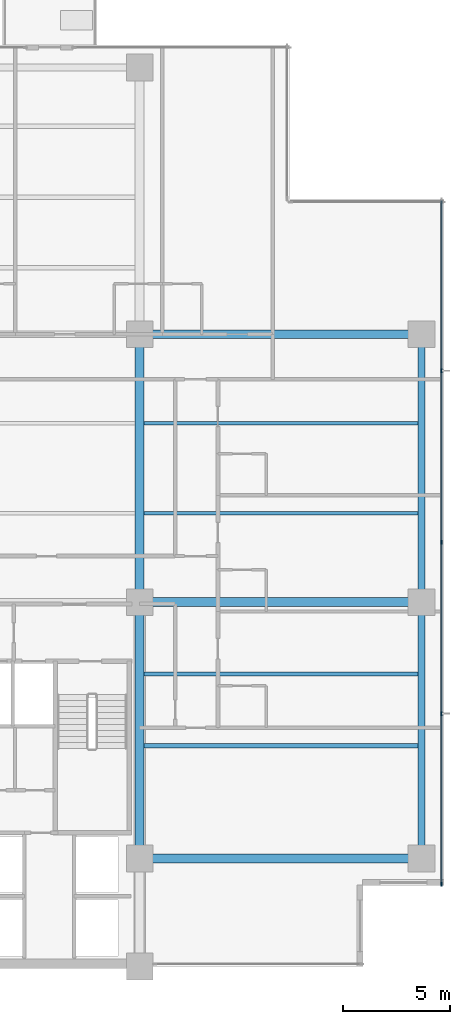
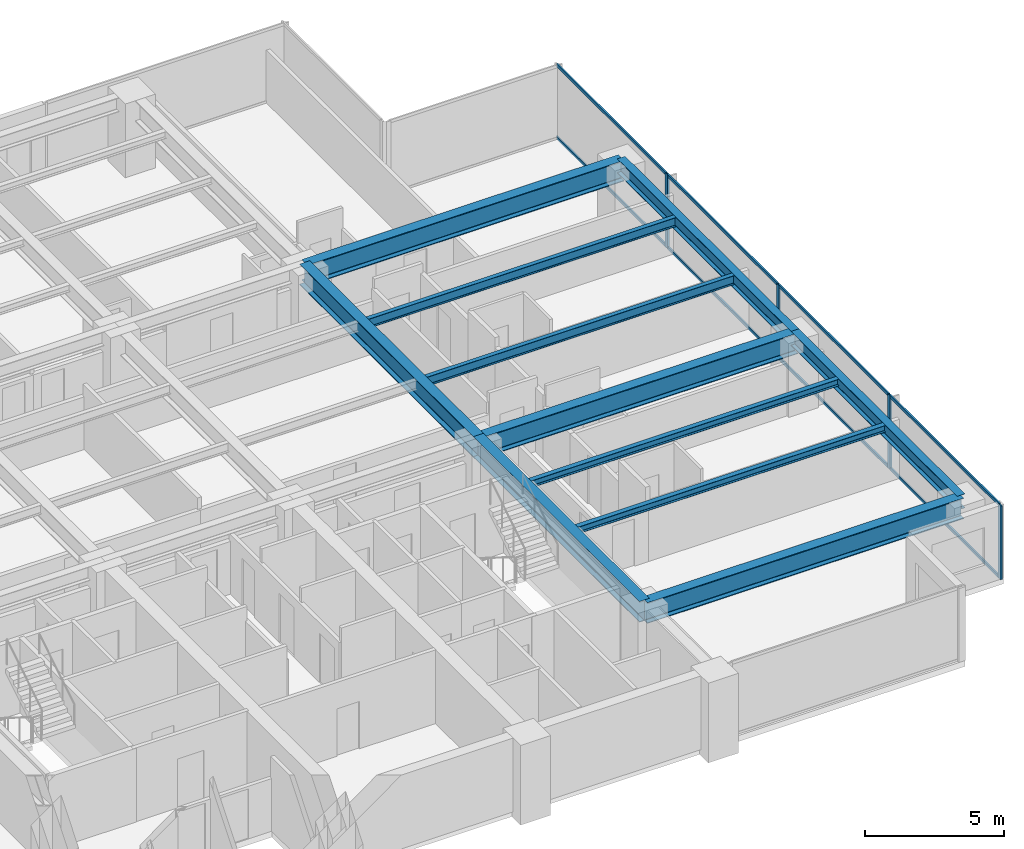
# One storey, part 4 of 17: 12 members, 11 beams, 1 element without a shape of its own.
"""IFC4 building model written with IfcOpenShell, lengths in metres."""

from ifc_helpers import new_model, si_unit, direction, frame, origin, origin_2d, place, context, subcontext, project, spatial, rectangle, i_section, extrude, material, layer, layer_set, material_profile, profile_set, type_object, element, aggregate, save


model = new_model("IFC4")

# Units and contexts
model_context = context("Model", 3, precision=1e-05, world=origin(), true_north=direction((0.0, 1.0)))
body_context = subcontext(model_context, "Body", "Model", "MODEL_VIEW")
ifc_project = project(units=[si_unit("LENGTHUNIT", "METRE"), si_unit("AREAUNIT", "SQUARE_METRE"), si_unit("VOLUMEUNIT", "CUBIC_METRE"), si_unit("PLANEANGLEUNIT", "RADIAN"), si_unit("MASSUNIT", "GRAM", prefix="KILO")], contexts=[model_context])

# Site, building, storey
site_placement = place(None, origin())
site = spatial("IfcSite", under=ifc_project, at=site_placement, CompositionType="ELEMENT")
building_placement = place(site_placement, origin())
building = spatial("IfcBuilding", under=site, at=building_placement, Name="Qalmaran Belvedere Hotel", CompositionType="ELEMENT")
storey_placement = place(building_placement, frame((0.0, 0.0, 102.199951171875)))
storey = spatial("IfcBuildingStorey", under=building, at=storey_placement, Name="L25", CompositionType="ELEMENT", Elevation=102.199951171875)

# Beams
ifc_material_1 = material(Name="Steel S355JR", Category="steel")
ifc_material_profile_1 = material_profile(ifc_material_1, i_section(OverallWidth=0.202880859375, OverallDepth=0.302978515625, WebThickness=0.007568359375, FlangeThickness=0.01318359375, FilletRadius=0.012939453125, at=origin_2d()), Name="W310X60")
ifc_profile_set_1 = profile_set([ifc_material_profile_1], Name="Steel S355JR")
beam_type_1 = type_object("IfcBeamType", Name="BM-JST-W310X60", PredefinedType="JOIST", material=ifc_profile_set_1)
for number, where, z_axis, x_axis, name in (
    (1, (45.007080078125, 13.800048828125, 3.088623046875), (1.0, 0.0, 0.0), (0.0, 1.0, 0.0), "L25 East Wing Joist 039"),
    (2, (45.007080078125, 17.14990234375, 3.088623046875), (1.0, 0.0, 0.0), (0.0, 1.0, 0.0), "L25 East Wing Joist 041"),
):
    element("IfcBeam", number, at=place(storey_placement, frame(where, z_axis=z_axis, x_axis=x_axis)), inside=storey, type_object=beam_type_1, Name=name, PredefinedType="JOIST", context=body_context, shape_type="SweptSolid", body=[
        extrude(i_section(OverallWidth=0.202880859375, OverallDepth=0.302978515625, WebThickness=0.007568359375, FlangeThickness=0.01318359375, FilletRadius=0.012939453125, at=origin_2d()), origin(), (0.0, 0.0, 1.0), 12.781494140625),
    ])
ifc_material_profile_2 = material_profile(ifc_material_1, i_section(OverallWidth=0.41796875, OverallDepth=0.912109375, WebThickness=0.019287109375, FlangeThickness=0.031982421875, FilletRadius=0.02392578125, at=origin_2d()), Name="W920X342")
ifc_profile_set_2 = profile_set([ifc_material_profile_2], Name="Steel S355JR")
beam_type_2 = type_object("IfcBeamType", Name="BM-PG2-W920X342", PredefinedType="USERDEFINED", material=ifc_profile_set_2)
beam_1_placement = place(storey_placement, frame((44.800048828125, 20.5, 2.783935546875), z_axis=(0.0, 1.0, 0.0), x_axis=(-1.0, 0.0, 0.0)))
element("IfcBeam", 3, at=beam_1_placement, inside=storey, type_object=beam_type_2, Name="L25 Mid-Plate N-S Girder 20", ObjectType="GIRDER", PredefinedType="USERDEFINED", context=body_context, shape_type="SweptSolid", body=[
    extrude(i_section(OverallWidth=0.41796875, OverallDepth=0.912109375, WebThickness=0.019287109375, FlangeThickness=0.031982421875, FilletRadius=0.02392578125, at=origin_2d()), origin(), (0.0, 0.0, 1.0), 12.5),
])
beam_2_placement = place(storey_placement, frame((44.800048828125, 8.550048828125, 2.783935546875), z_axis=(0.0, 1.0, 0.0), x_axis=(-1.0, 0.0, 0.0)))
element("IfcBeam", 4, at=beam_2_placement, inside=storey, type_object=beam_type_2, Name="L25 East Core Edge Girder B", ObjectType="GIRDER", PredefinedType="USERDEFINED", context=body_context, shape_type="SweptSolid", body=[
    extrude(i_section(OverallWidth=0.41796875, OverallDepth=0.912109375, WebThickness=0.019287109375, FlangeThickness=0.031982421875, FilletRadius=0.02392578125, at=origin_2d()), origin(), (0.0, 0.0, 1.0), 11.949951171875),
])
for number, where, z_axis, x_axis, name in (
    (5, (44.800048828125, 8.550048828125, 2.783935546875), (1.0, 0.0, 0.0), (0.0, 1.0, 0.0), "L25 East Wing Girder 25"),
    (6, (44.800048828125, 20.5, 2.783935546875), (1.0, 0.0, 0.0), (0.0, 1.0, 0.0), "L25 East Wing Girder 26"),
    (7, (44.800048828125, 33.0, 2.783935546875), (1.0, 0.0, 0.0), (0.0, 1.0, 0.0), "L25 East Wing Girder 27"),
):
    element("IfcBeam", number, at=place(storey_placement, frame(where, z_axis=z_axis, x_axis=x_axis)), inside=storey, type_object=beam_type_2, Name=name, ObjectType="GIRDER", PredefinedType="USERDEFINED", context=body_context, shape_type="SweptSolid", body=[
        extrude(i_section(OverallWidth=0.41796875, OverallDepth=0.912109375, WebThickness=0.019287109375, FlangeThickness=0.031982421875, FilletRadius=0.02392578125, at=origin_2d()), origin(), (0.0, 0.0, 1.0), 13.14990234375),
    ])
ifc_material_profile_3 = material_profile(ifc_material_1, i_section(OverallWidth=0.177978515625, OverallDepth=0.406982421875, WebThickness=0.0078125, FlangeThickness=0.0126953125, FilletRadius=0.014892578125, at=origin_2d()), Name="W410X60")
ifc_profile_set_3 = profile_set([ifc_material_profile_3], Name="Steel S355JR")
beam_type_3 = type_object("IfcBeamType", Name="BM-SB2-W410X60", PredefinedType="BEAM", material=ifc_profile_set_3)
for number, where, z_axis, x_axis, name in (
    (8, (45.007080078125, 24.64990234375, 3.03662109375), (1.0, 0.0, 0.0), (0.0, 1.0, 0.0), "L25 East Secondary Beam 032"),
    (9, (45.007080078125, 28.85009765625, 3.03662109375), (1.0, 0.0, 0.0), (0.0, 1.0, 0.0), "L25 East Secondary Beam 037"),
):
    element("IfcBeam", number, at=place(storey_placement, frame(where, z_axis=z_axis, x_axis=x_axis)), inside=storey, type_object=beam_type_3, Name=name, PredefinedType="BEAM", context=body_context, shape_type="SweptSolid", body=[
        extrude(i_section(OverallWidth=0.177978515625, OverallDepth=0.406982421875, WebThickness=0.0078125, FlangeThickness=0.0126953125, FilletRadius=0.014892578125, at=origin_2d()), origin(), (0.0, 0.0, 1.0), 12.781494140625),
    ])
ifc_material_profile_4 = material_profile(ifc_material_1, i_section(OverallWidth=0.326904296875, OverallDepth=0.6220703125, WebThickness=0.015380859375, FlangeThickness=0.0244140625, FilletRadius=0.02001953125, at=origin_2d()), Name="W610X195")
ifc_profile_set_4 = profile_set([ifc_material_profile_4], Name="Steel S355JR")
beam_type_4 = type_object("IfcBeamType", Name="BM-SP1-W610X195", PredefinedType="SPANDREL", material=ifc_profile_set_4)
beam_3_placement = place(storey_placement, frame((57.949951171875, 8.550048828125, 2.928955078125), z_axis=(0.0, 1.0, 0.0), x_axis=(-1.0, 0.0, 0.0)))
element("IfcBeam", 10, at=beam_3_placement, inside=storey, type_object=beam_type_4, Name="L25 Perimeter Spandrel 03", PredefinedType="SPANDREL", context=body_context, shape_type="SweptSolid", body=[
    extrude(i_section(OverallWidth=0.326904296875, OverallDepth=0.6220703125, WebThickness=0.015380859375, FlangeThickness=0.0244140625, FilletRadius=0.02001953125, at=origin_2d()), origin(), (0.0, 0.0, 1.0), 11.949951171875),
])
beam_4_placement = place(storey_placement, frame((57.949951171875, 20.5, 2.928955078125), z_axis=(0.0, 1.0, 0.0), x_axis=(-1.0, 0.0, 0.0)))
element("IfcBeam", 11, at=beam_4_placement, inside=storey, type_object=beam_type_4, Name="L25 Perimeter Spandrel 04", PredefinedType="SPANDREL", context=body_context, shape_type="SweptSolid", body=[
    extrude(i_section(OverallWidth=0.326904296875, OverallDepth=0.6220703125, WebThickness=0.015380859375, FlangeThickness=0.0244140625, FilletRadius=0.02001953125, at=origin_2d()), origin(), (0.0, 0.0, 1.0), 12.5),
])

# Curtain wall, members
ifc_material_2 = material(Name="Anodised Bronze Aluminium", Category="aluminium")
ifc_layer = layer(ifc_material_2, 0.199951171875, Name="Anodised Bronze Aluminium")
ifc_layer_set = layer_set([ifc_layer], Name="Anodised Bronze Aluminium")
curtain_wall_type = type_object("IfcCurtainWallType", Name="CW3-TOWER-LOWMID", PredefinedType="NOTDEFINED", material=ifc_layer_set)
curtain_wall_placement = place(storey_placement, origin())
curtain_wall = element("IfcCurtainWall", 12, at=curtain_wall_placement, inside=storey, type_object=curtain_wall_type, Name="L25 Curtain Wall CW3", PredefinedType="NOTDEFINED")
ifc_material_profile_5 = material_profile(ifc_material_2, rectangle(XDim=0.070068359375, YDim=0.18994140625, at=origin_2d()), Name="CWM70X190")
ifc_profile_set_5 = profile_set([ifc_material_profile_5], Name="Anodised Bronze Aluminium")
member_type_1 = type_object("IfcMemberType", Name="CWM-70X190", PredefinedType="MULLION", material=ifc_profile_set_5)
member_1_placement = place(storey_placement, frame((58.8798828125, 7.3349609375, 0.0), z_axis=(0.0, 0.0, 1.0), x_axis=(-1.0, 0.0, 0.0)))
member_1 = element("IfcMember", 13, at=member_1_placement, type_object=member_type_1, Name="CW3 mullion 1", PredefinedType="MULLION", context=body_context, shape_type="SweptSolid", body=[
    extrude(rectangle(XDim=0.070068359375, YDim=0.18994140625, at=origin_2d()), origin(), (0.0, 0.0, 1.0), 3.239990234375),
])
member_2_placement = place(storey_placement, frame((58.8798828125, 15.300048828125, 0.0), z_axis=(0.0, 0.0, 1.0), x_axis=(-1.0, 0.0, 0.0)))
member_2 = element("IfcMember", 14, at=member_2_placement, type_object=member_type_1, Name="CW3 mullion 2", PredefinedType="MULLION", context=body_context, shape_type="SweptSolid", body=[
    extrude(rectangle(XDim=0.070068359375, YDim=0.18994140625, at=origin_2d()), origin(), (0.0, 0.0, 1.0), 3.239990234375),
])
member_3_placement = place(storey_placement, frame((58.8798828125, 23.300048828125, 0.0), z_axis=(0.0, 0.0, 1.0), x_axis=(-1.0, 0.0, 0.0)))
member_3 = element("IfcMember", 15, at=member_3_placement, type_object=member_type_1, Name="CW3 mullion 3", PredefinedType="MULLION", context=body_context, shape_type="SweptSolid", body=[
    extrude(rectangle(XDim=0.070068359375, YDim=0.18994140625, at=origin_2d()), origin(), (0.0, 0.0, 1.0), 3.239990234375),
])
member_4_placement = place(storey_placement, frame((58.8798828125, 31.300048828125, 0.0), z_axis=(0.0, 0.0, 1.0), x_axis=(-1.0, 0.0, 0.0)))
member_4 = element("IfcMember", 16, at=member_4_placement, type_object=member_type_1, Name="CW3 mullion 4", PredefinedType="MULLION", context=body_context, shape_type="SweptSolid", body=[
    extrude(rectangle(XDim=0.070068359375, YDim=0.18994140625, at=origin_2d()), origin(), (0.0, 0.0, 1.0), 3.239990234375),
])
ifc_material_profile_6 = material_profile(ifc_material_2, rectangle(XDim=0.06494140625, YDim=0.1298828125, at=origin_2d()), Name="CWT65X130")
ifc_profile_set_6 = profile_set([ifc_material_profile_6], Name="Anodised Bronze Aluminium")
member_type_2 = type_object("IfcMemberType", Name="CWT-65X130", PredefinedType="USERDEFINED", material=ifc_profile_set_6)
member_5_placement = place(storey_placement, frame((58.8798828125, 7.3701171875, 0.032470703125), z_axis=(0.0, 1.0, 0.0), x_axis=(-1.0, 0.0, 0.0)))
member_5 = element("IfcMember", 17, at=member_5_placement, type_object=member_type_2, Name="CW3 transom 1.1", ObjectType="TRANSOM", PredefinedType="USERDEFINED", context=body_context, shape_type="SweptSolid", body=[
    extrude(rectangle(XDim=0.06494140625, YDim=0.1298828125, at=origin_2d()), origin(), (0.0, 0.0, 1.0), 7.894775390625),
])
member_6_placement = place(storey_placement, frame((58.8798828125, 7.3701171875, 3.20751953125), z_axis=(0.0, 1.0, 0.0), x_axis=(-1.0, 0.0, 0.0)))
member_6 = element("IfcMember", 18, at=member_6_placement, type_object=member_type_2, Name="CW3 transom 1.2", ObjectType="TRANSOM", PredefinedType="USERDEFINED", context=body_context, shape_type="SweptSolid", body=[
    extrude(rectangle(XDim=0.06494140625, YDim=0.1298828125, at=origin_2d()), origin(), (0.0, 0.0, 1.0), 7.894775390625),
])
member_7_placement = place(storey_placement, frame((58.8798828125, 15.3349609375, 0.032470703125), z_axis=(0.0, 1.0, 0.0), x_axis=(-1.0, 0.0, 0.0)))
member_7 = element("IfcMember", 19, at=member_7_placement, type_object=member_type_2, Name="CW3 transom 2.1", ObjectType="TRANSOM", PredefinedType="USERDEFINED", context=body_context, shape_type="SweptSolid", body=[
    extrude(rectangle(XDim=0.06494140625, YDim=0.1298828125, at=origin_2d()), origin(), (0.0, 0.0, 1.0), 7.929931640625),
])
member_8_placement = place(storey_placement, frame((58.8798828125, 15.3349609375, 3.20751953125), z_axis=(0.0, 1.0, 0.0), x_axis=(-1.0, 0.0, 0.0)))
member_8 = element("IfcMember", 20, at=member_8_placement, type_object=member_type_2, Name="CW3 transom 2.2", ObjectType="TRANSOM", PredefinedType="USERDEFINED", context=body_context, shape_type="SweptSolid", body=[
    extrude(rectangle(XDim=0.06494140625, YDim=0.1298828125, at=origin_2d()), origin(), (0.0, 0.0, 1.0), 7.929931640625),
])
member_9_placement = place(storey_placement, frame((58.8798828125, 23.3349609375, 0.032470703125), z_axis=(0.0, 1.0, 0.0), x_axis=(-1.0, 0.0, 0.0)))
member_9 = element("IfcMember", 21, at=member_9_placement, type_object=member_type_2, Name="CW3 transom 3.1", ObjectType="TRANSOM", PredefinedType="USERDEFINED", context=body_context, shape_type="SweptSolid", body=[
    extrude(rectangle(XDim=0.06494140625, YDim=0.1298828125, at=origin_2d()), origin(), (0.0, 0.0, 1.0), 7.929931640625),
])
member_10_placement = place(storey_placement, frame((58.8798828125, 23.3349609375, 3.20751953125), z_axis=(0.0, 1.0, 0.0), x_axis=(-1.0, 0.0, 0.0)))
member_10 = element("IfcMember", 22, at=member_10_placement, type_object=member_type_2, Name="CW3 transom 3.2", ObjectType="TRANSOM", PredefinedType="USERDEFINED", context=body_context, shape_type="SweptSolid", body=[
    extrude(rectangle(XDim=0.06494140625, YDim=0.1298828125, at=origin_2d()), origin(), (0.0, 0.0, 1.0), 7.929931640625),
])
member_11_placement = place(storey_placement, frame((58.8798828125, 31.3349609375, 0.032470703125), z_axis=(0.0, 1.0, 0.0), x_axis=(-1.0, 0.0, 0.0)))
member_11 = element("IfcMember", 23, at=member_11_placement, type_object=member_type_2, Name="CW3 transom 4.1", ObjectType="TRANSOM", PredefinedType="USERDEFINED", context=body_context, shape_type="SweptSolid", body=[
    extrude(rectangle(XDim=0.06494140625, YDim=0.1298828125, at=origin_2d()), origin(), (0.0, 0.0, 1.0), 7.89501953125),
])
member_12_placement = place(storey_placement, frame((58.8798828125, 31.3349609375, 3.20751953125), z_axis=(0.0, 1.0, 0.0), x_axis=(-1.0, 0.0, 0.0)))
member_12 = element("IfcMember", 24, at=member_12_placement, type_object=member_type_2, Name="CW3 transom 4.2", ObjectType="TRANSOM", PredefinedType="USERDEFINED", context=body_context, shape_type="SweptSolid", body=[
    extrude(rectangle(XDim=0.06494140625, YDim=0.1298828125, at=origin_2d()), origin(), (0.0, 0.0, 1.0), 7.89501953125),
])
aggregate(curtain_wall, [member_1, member_2, member_3, member_4, member_5, member_6, member_7, member_8, member_9, member_10, member_11, member_12])

save(model, "model.ifc")
